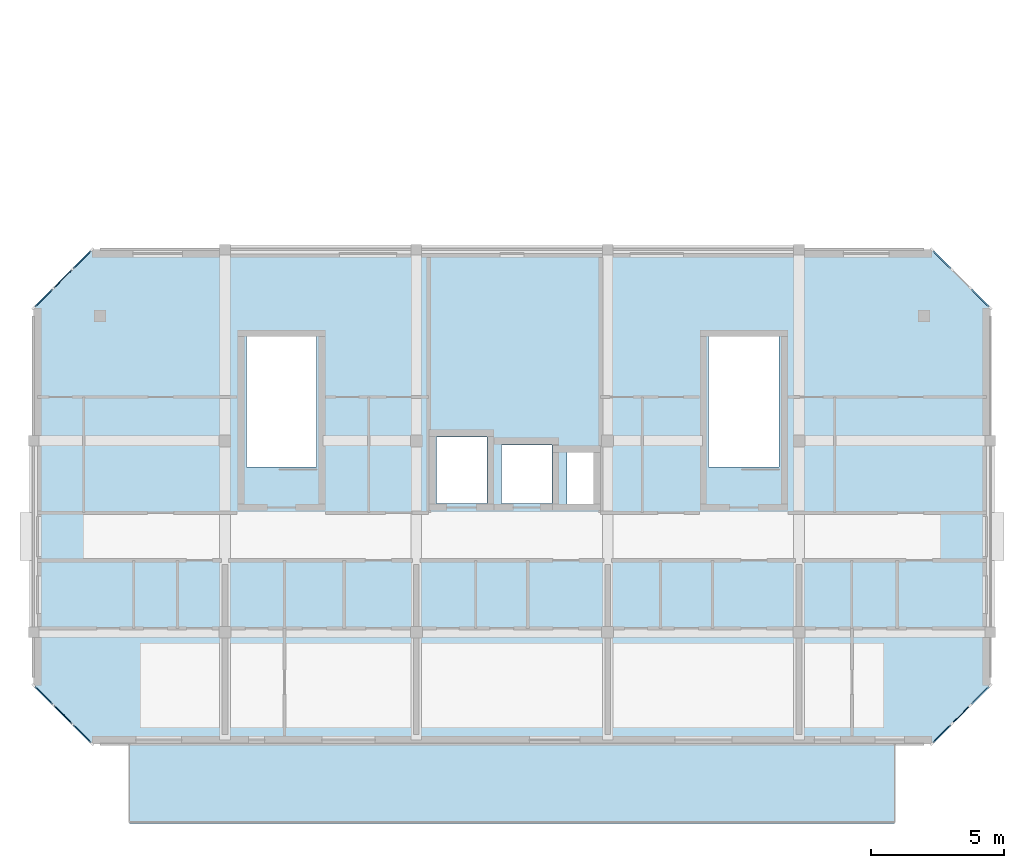
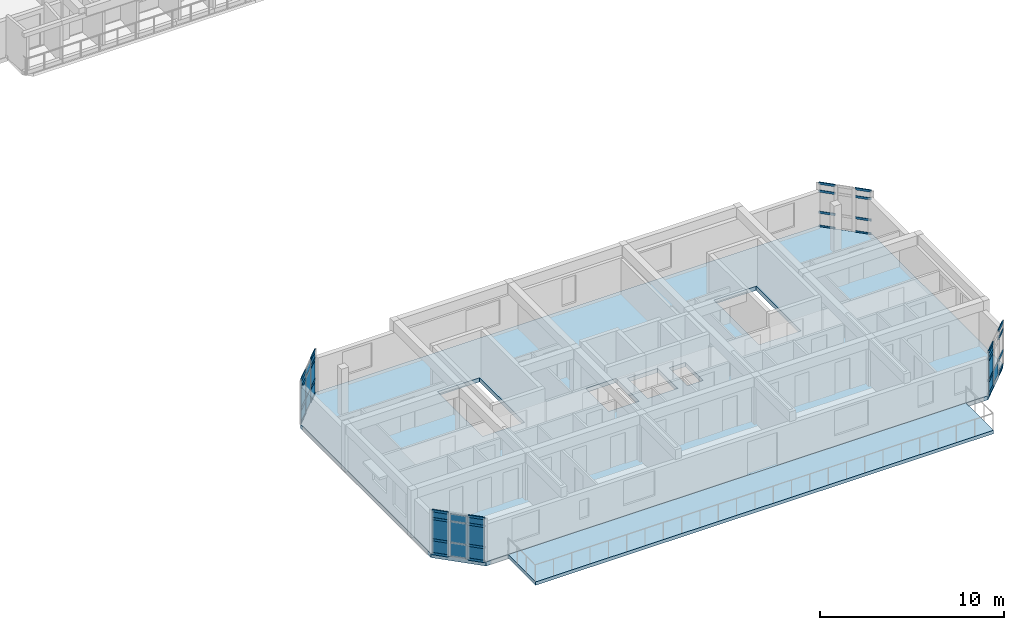
# One storey, part 5 of 19: 32 members, 22 plates, 2 slabs, 4 elements without a shape of their own.
"""IFC4 building model written with IfcOpenShell, lengths in metres."""

from ifc_helpers import new_model, si_unit, direction, frame, origin, origin_2d, place, context, subcontext, project, spatial, polyline, rectangle, outline, extrude, material, layer, layer_set, material_profile, profile_set, type_object, element, aggregate, save


model = new_model("IFC4")

# Units and contexts
model_context = context("Model", 3, precision=1e-05, world=origin(), true_north=direction((0.0, 1.0)))
body_context = subcontext(model_context, "Body", "Model", "MODEL_VIEW")
ifc_project = project(units=[si_unit("LENGTHUNIT", "METRE"), si_unit("AREAUNIT", "SQUARE_METRE"), si_unit("VOLUMEUNIT", "CUBIC_METRE"), si_unit("PLANEANGLEUNIT", "RADIAN"), si_unit("MASSUNIT", "GRAM", prefix="KILO")], contexts=[model_context])

# Site, building, storey
site_placement = place(None, origin())
site = spatial("IfcSite", under=ifc_project, at=site_placement, CompositionType="ELEMENT")
building_placement = place(site_placement, origin())
building = spatial("IfcBuilding", under=site, at=building_placement, Name="Ochrevale Crest", CompositionType="ELEMENT")
storey_placement = place(building_placement, frame((0.0, 0.0, 43.35009765625)))
storey = spatial("IfcBuildingStorey", under=building, at=storey_placement, Name="L13", CompositionType="ELEMENT", Elevation=43.35009765625)

# Curtain wall, members
ifc_material_1 = material(Name="Anodised aluminium 6063-T5", Category="aluminium")
ifc_layer_1 = layer(ifc_material_1, 0.14990234375)
ifc_layer_set_1 = layer_set([ifc_layer_1], Name="Anodised aluminium 6063-T5")
curtain_wall_type_1 = type_object("IfcCurtainWallType", Name="CW-WG-240x285", PredefinedType="NOTDEFINED", material=ifc_layer_set_1)
curtain_wall_1_placement = place(storey_placement, origin())
curtain_wall_1 = element("IfcCurtainWall", 1, at=curtain_wall_1_placement, inside=storey, type_object=curtain_wall_type_1, Name="Block C L13 chamfered corner wintergarden curtain wall 2", PredefinedType="NOTDEFINED")
ifc_material_profile = material_profile(ifc_material_1, rectangle(XDim=0.06005859375, YDim=0.14990234375, at=origin_2d()), Name="ALU 60x150")
ifc_profile_set = profile_set([ifc_material_profile], Name="Anodised aluminium 6063-T5")
member_type = type_object("IfcMemberType", Name="CW-TRN-60x150", PredefinedType="USERDEFINED", material=ifc_profile_set)
member_1_placement = place(storey_placement, frame((163.453125, 17.453125, 0.02978515625), z_axis=(0.707106781187, 0.707106781187, 0.0), x_axis=(-0.707106781187, 0.707106781187, 0.0)))
member_1 = element("IfcMember", 2, at=member_1_placement, type_object=member_type, Name="CW15 transom 1.1", ObjectType="TRANSOM", PredefinedType="USERDEFINED", context=body_context, shape_type="SweptSolid", body=[
    extrude(rectangle(XDim=0.06005859375, YDim=0.14990234375, at=origin_2d()), origin(), (0.0, 0.0, 1.0), 0.924560546875),
])
member_2_placement = place(storey_placement, frame((163.453125, 17.453125, 0.949951171875), z_axis=(0.707106781187, 0.707106781187, 0.0), x_axis=(-0.707106781187, 0.707106781187, 0.0)))
member_2 = element("IfcMember", 3, at=member_2_placement, type_object=member_type, Name="CW15 transom 1.2", ObjectType="TRANSOM", PredefinedType="USERDEFINED", context=body_context, shape_type="SweptSolid", body=[
    extrude(rectangle(XDim=0.06005859375, YDim=0.14990234375, at=origin_2d()), origin(), (0.0, 0.0, 1.0), 0.924560546875),
])
member_3_placement = place(storey_placement, frame((163.453125, 17.453125, 2.35986328125), z_axis=(0.707106781187, 0.707106781187, 0.0), x_axis=(-0.707106781187, 0.707106781187, 0.0)))
member_3 = element("IfcMember", 4, at=member_3_placement, type_object=member_type, Name="CW15 transom 1.3", ObjectType="TRANSOM", PredefinedType="USERDEFINED", context=body_context, shape_type="SweptSolid", body=[
    extrude(rectangle(XDim=0.06005859375, YDim=0.14990234375, at=origin_2d()), origin(), (0.0, 0.0, 1.0), 0.924560546875),
])
member_4_placement = place(storey_placement, frame((163.453125, 17.453125, 2.8798828125), z_axis=(0.707106781187, 0.707106781187, 0.0), x_axis=(-0.707106781187, 0.707106781187, 0.0)))
member_4 = element("IfcMember", 5, at=member_4_placement, type_object=member_type, Name="CW15 transom 1.4", ObjectType="TRANSOM", PredefinedType="USERDEFINED", context=body_context, shape_type="SweptSolid", body=[
    extrude(rectangle(XDim=0.06005859375, YDim=0.14990234375, at=origin_2d()), origin(), (0.0, 0.0, 1.0), 0.924560546875),
])
member_5_placement = place(storey_placement, frame((164.89306640625, 18.89306640625, 0.02978515625), z_axis=(0.707106781187, 0.707106781187, 0.0), x_axis=(-0.707106781187, 0.707106781187, 0.0)))
member_5 = element("IfcMember", 6, at=member_5_placement, type_object=member_type, Name="CW15 transom 3.1", ObjectType="TRANSOM", PredefinedType="USERDEFINED", context=body_context, shape_type="SweptSolid", body=[
    extrude(rectangle(XDim=0.06005859375, YDim=0.14990234375, at=origin_2d()), origin(), (0.0, 0.0, 1.0), 0.924560546875),
])
member_6_placement = place(storey_placement, frame((164.89306640625, 18.89306640625, 0.949951171875), z_axis=(0.707106781187, 0.707106781187, 0.0), x_axis=(-0.707106781187, 0.707106781187, 0.0)))
member_6 = element("IfcMember", 7, at=member_6_placement, type_object=member_type, Name="CW15 transom 3.2", ObjectType="TRANSOM", PredefinedType="USERDEFINED", context=body_context, shape_type="SweptSolid", body=[
    extrude(rectangle(XDim=0.06005859375, YDim=0.14990234375, at=origin_2d()), origin(), (0.0, 0.0, 1.0), 0.924560546875),
])
member_7_placement = place(storey_placement, frame((164.89306640625, 18.89306640625, 2.35986328125), z_axis=(0.707106781187, 0.707106781187, 0.0), x_axis=(-0.707106781187, 0.707106781187, 0.0)))
member_7 = element("IfcMember", 8, at=member_7_placement, type_object=member_type, Name="CW15 transom 3.3", ObjectType="TRANSOM", PredefinedType="USERDEFINED", context=body_context, shape_type="SweptSolid", body=[
    extrude(rectangle(XDim=0.06005859375, YDim=0.14990234375, at=origin_2d()), origin(), (0.0, 0.0, 1.0), 0.924560546875),
])
member_8_placement = place(storey_placement, frame((164.89306640625, 18.89306640625, 2.8798828125), z_axis=(0.707106781187, 0.707106781187, 0.0), x_axis=(-0.707106781187, 0.707106781187, 0.0)))
member_8 = element("IfcMember", 9, at=member_8_placement, type_object=member_type, Name="CW15 transom 3.4", ObjectType="TRANSOM", PredefinedType="USERDEFINED", context=body_context, shape_type="SweptSolid", body=[
    extrude(rectangle(XDim=0.06005859375, YDim=0.14990234375, at=origin_2d()), origin(), (0.0, 0.0, 1.0), 0.924560546875),
])

ifc_layer_2 = layer(ifc_material_1, 0.14990234375)
ifc_layer_set_2 = layer_set([ifc_layer_2], Name="Anodised aluminium 6063-T5")
curtain_wall_type_2 = type_object("IfcCurtainWallType", Name="CW-WG-320x285", PredefinedType="NOTDEFINED", material=ifc_layer_set_2)
curtain_wall_2_placement = place(storey_placement, origin())
curtain_wall_2 = element("IfcCurtainWall", 10, at=curtain_wall_2_placement, inside=storey, type_object=curtain_wall_type_2, Name="Block C L13 chamfered corner wintergarden curtain wall 4", PredefinedType="NOTDEFINED")
member_9_placement = place(storey_placement, frame((165.546875, 33.85302734375, 0.02978515625), z_axis=(-0.707106781187, 0.707106781187, 0.0), x_axis=(-0.707106781187, -0.707106781187, 0.0)))
member_9 = element("IfcMember", 11, at=member_9_placement, type_object=member_type, Name="CW17 transom 1.1", ObjectType="TRANSOM", PredefinedType="USERDEFINED", context=body_context, shape_type="SweptSolid", body=[
    extrude(rectangle(XDim=0.06005859375, YDim=0.14990234375, at=origin_2d()), origin(), (0.0, 0.0, 1.0), 0.924560546875),
])
member_10_placement = place(storey_placement, frame((165.546875, 33.85302734375, 0.949951171875), z_axis=(-0.707106781187, 0.707106781187, 0.0), x_axis=(-0.707106781187, -0.707106781187, 0.0)))
member_10 = element("IfcMember", 12, at=member_10_placement, type_object=member_type, Name="CW17 transom 1.2", ObjectType="TRANSOM", PredefinedType="USERDEFINED", context=body_context, shape_type="SweptSolid", body=[
    extrude(rectangle(XDim=0.06005859375, YDim=0.14990234375, at=origin_2d()), origin(), (0.0, 0.0, 1.0), 0.924560546875),
])
member_11_placement = place(storey_placement, frame((165.546875, 33.85302734375, 2.35986328125), z_axis=(-0.707106781187, 0.707106781187, 0.0), x_axis=(-0.707106781187, -0.707106781187, 0.0)))
member_11 = element("IfcMember", 13, at=member_11_placement, type_object=member_type, Name="CW17 transom 1.3", ObjectType="TRANSOM", PredefinedType="USERDEFINED", context=body_context, shape_type="SweptSolid", body=[
    extrude(rectangle(XDim=0.06005859375, YDim=0.14990234375, at=origin_2d()), origin(), (0.0, 0.0, 1.0), 0.924560546875),
])
member_12_placement = place(storey_placement, frame((165.546875, 33.85302734375, 2.8798828125), z_axis=(-0.707106781187, 0.707106781187, 0.0), x_axis=(-0.707106781187, -0.707106781187, 0.0)))
member_12 = element("IfcMember", 14, at=member_12_placement, type_object=member_type, Name="CW17 transom 1.4", ObjectType="TRANSOM", PredefinedType="USERDEFINED", context=body_context, shape_type="SweptSolid", body=[
    extrude(rectangle(XDim=0.06005859375, YDim=0.14990234375, at=origin_2d()), origin(), (0.0, 0.0, 1.0), 0.924560546875),
])
member_13_placement = place(storey_placement, frame((164.10693359375, 35.293212890625, 0.02978515625), z_axis=(-0.707106781187, 0.707106781187, 0.0), x_axis=(-0.707106781187, -0.707106781187, 0.0)))
member_13 = element("IfcMember", 15, at=member_13_placement, type_object=member_type, Name="CW17 transom 3.1", ObjectType="TRANSOM", PredefinedType="USERDEFINED", context=body_context, shape_type="SweptSolid", body=[
    extrude(rectangle(XDim=0.06005859375, YDim=0.14990234375, at=origin_2d()), origin(), (0.0, 0.0, 1.0), 0.924560546875),
])
member_14_placement = place(storey_placement, frame((164.10693359375, 35.293212890625, 0.949951171875), z_axis=(-0.707106781187, 0.707106781187, 0.0), x_axis=(-0.707106781187, -0.707106781187, 0.0)))
member_14 = element("IfcMember", 16, at=member_14_placement, type_object=member_type, Name="CW17 transom 3.2", ObjectType="TRANSOM", PredefinedType="USERDEFINED", context=body_context, shape_type="SweptSolid", body=[
    extrude(rectangle(XDim=0.06005859375, YDim=0.14990234375, at=origin_2d()), origin(), (0.0, 0.0, 1.0), 0.924560546875),
])
member_15_placement = place(storey_placement, frame((164.10693359375, 35.293212890625, 2.35986328125), z_axis=(-0.707106781187, 0.707106781187, 0.0), x_axis=(-0.707106781187, -0.707106781187, 0.0)))
member_15 = element("IfcMember", 17, at=member_15_placement, type_object=member_type, Name="CW17 transom 3.3", ObjectType="TRANSOM", PredefinedType="USERDEFINED", context=body_context, shape_type="SweptSolid", body=[
    extrude(rectangle(XDim=0.06005859375, YDim=0.14990234375, at=origin_2d()), origin(), (0.0, 0.0, 1.0), 0.924560546875),
])
member_16_placement = place(storey_placement, frame((164.10693359375, 35.293212890625, 2.8798828125), z_axis=(-0.707106781187, 0.707106781187, 0.0), x_axis=(-0.707106781187, -0.707106781187, 0.0)))
member_16 = element("IfcMember", 18, at=member_16_placement, type_object=member_type, Name="CW17 transom 3.4", ObjectType="TRANSOM", PredefinedType="USERDEFINED", context=body_context, shape_type="SweptSolid", body=[
    extrude(rectangle(XDim=0.06005859375, YDim=0.14990234375, at=origin_2d()), origin(), (0.0, 0.0, 1.0), 0.924560546875),
])
aggregate(curtain_wall_2, [member_9, member_10, member_11, member_12, member_13, member_14, member_15, member_16])

ifc_layer_3 = layer(ifc_material_1, 0.14990234375)
ifc_layer_set_3 = layer_set([ifc_layer_3], Name="Anodised aluminium 6063-T5")
curtain_wall_type_3 = type_object("IfcCurtainWallType", Name="CW-WG-420x285", PredefinedType="NOTDEFINED", material=ifc_layer_set_3)
curtain_wall_3_placement = place(storey_placement, origin())
curtain_wall_3 = element("IfcCurtainWall", 19, at=curtain_wall_3_placement, inside=storey, type_object=curtain_wall_type_3, Name="Block C L13 chamfered corner wintergarden curtain wall 6", PredefinedType="NOTDEFINED")
member_17_placement = place(storey_placement, frame((131.7470703125, 35.947021484375, 0.02978515625), z_axis=(-0.707106781187, -0.707106781187, 0.0), x_axis=(0.707106781187, -0.707106781187, 0.0)))
member_17 = element("IfcMember", 20, at=member_17_placement, type_object=member_type, Name="CW22 transom 1.1", ObjectType="TRANSOM", PredefinedType="USERDEFINED", context=body_context, shape_type="SweptSolid", body=[
    extrude(rectangle(XDim=0.06005859375, YDim=0.14990234375, at=origin_2d()), origin(), (0.0, 0.0, 1.0), 0.924560546875),
])
member_18_placement = place(storey_placement, frame((131.7470703125, 35.947021484375, 0.949951171875), z_axis=(-0.707106781187, -0.707106781187, 0.0), x_axis=(0.707106781187, -0.707106781187, 0.0)))
member_18 = element("IfcMember", 21, at=member_18_placement, type_object=member_type, Name="CW22 transom 1.2", ObjectType="TRANSOM", PredefinedType="USERDEFINED", context=body_context, shape_type="SweptSolid", body=[
    extrude(rectangle(XDim=0.06005859375, YDim=0.14990234375, at=origin_2d()), origin(), (0.0, 0.0, 1.0), 0.924560546875),
])
member_19_placement = place(storey_placement, frame((131.7470703125, 35.947021484375, 2.35986328125), z_axis=(-0.707106781187, -0.707106781187, 0.0), x_axis=(0.707106781187, -0.707106781187, 0.0)))
member_19 = element("IfcMember", 22, at=member_19_placement, type_object=member_type, Name="CW22 transom 1.3", ObjectType="TRANSOM", PredefinedType="USERDEFINED", context=body_context, shape_type="SweptSolid", body=[
    extrude(rectangle(XDim=0.06005859375, YDim=0.14990234375, at=origin_2d()), origin(), (0.0, 0.0, 1.0), 0.924560546875),
])
member_20_placement = place(storey_placement, frame((131.7470703125, 35.947021484375, 2.8798828125), z_axis=(-0.707106781187, -0.707106781187, 0.0), x_axis=(0.707106781187, -0.707106781187, 0.0)))
member_20 = element("IfcMember", 23, at=member_20_placement, type_object=member_type, Name="CW22 transom 1.4", ObjectType="TRANSOM", PredefinedType="USERDEFINED", context=body_context, shape_type="SweptSolid", body=[
    extrude(rectangle(XDim=0.06005859375, YDim=0.14990234375, at=origin_2d()), origin(), (0.0, 0.0, 1.0), 0.924560546875),
])
member_21_placement = place(storey_placement, frame((130.306884765625, 34.5068359375, 0.02978515625), z_axis=(-0.707106781187, -0.707106781187, 0.0), x_axis=(0.707106781187, -0.707106781187, 0.0)))
member_21 = element("IfcMember", 24, at=member_21_placement, type_object=member_type, Name="CW22 transom 3.1", ObjectType="TRANSOM", PredefinedType="USERDEFINED", context=body_context, shape_type="SweptSolid", body=[
    extrude(rectangle(XDim=0.06005859375, YDim=0.14990234375, at=origin_2d()), origin(), (0.0, 0.0, 1.0), 0.924560546875),
])
member_22_placement = place(storey_placement, frame((130.306884765625, 34.5068359375, 0.949951171875), z_axis=(-0.707106781187, -0.707106781187, 0.0), x_axis=(0.707106781187, -0.707106781187, 0.0)))
member_22 = element("IfcMember", 25, at=member_22_placement, type_object=member_type, Name="CW22 transom 3.2", ObjectType="TRANSOM", PredefinedType="USERDEFINED", context=body_context, shape_type="SweptSolid", body=[
    extrude(rectangle(XDim=0.06005859375, YDim=0.14990234375, at=origin_2d()), origin(), (0.0, 0.0, 1.0), 0.924560546875),
])
member_23_placement = place(storey_placement, frame((130.306884765625, 34.5068359375, 2.35986328125), z_axis=(-0.707106781187, -0.707106781187, 0.0), x_axis=(0.707106781187, -0.707106781187, 0.0)))
member_23 = element("IfcMember", 26, at=member_23_placement, type_object=member_type, Name="CW22 transom 3.3", ObjectType="TRANSOM", PredefinedType="USERDEFINED", context=body_context, shape_type="SweptSolid", body=[
    extrude(rectangle(XDim=0.06005859375, YDim=0.14990234375, at=origin_2d()), origin(), (0.0, 0.0, 1.0), 0.924560546875),
])
member_24_placement = place(storey_placement, frame((130.306884765625, 34.5068359375, 2.8798828125), z_axis=(-0.707106781187, -0.707106781187, 0.0), x_axis=(0.707106781187, -0.707106781187, 0.0)))
member_24 = element("IfcMember", 27, at=member_24_placement, type_object=member_type, Name="CW22 transom 3.4", ObjectType="TRANSOM", PredefinedType="USERDEFINED", context=body_context, shape_type="SweptSolid", body=[
    extrude(rectangle(XDim=0.06005859375, YDim=0.14990234375, at=origin_2d()), origin(), (0.0, 0.0, 1.0), 0.924560546875),
])

ifc_layer_4 = layer(ifc_material_1, 0.14990234375)
ifc_layer_set_4 = layer_set([ifc_layer_4], Name="Anodised aluminium 6063-T5")
curtain_wall_type_4 = type_object("IfcCurtainWallType", Name="CW-WG-280x285", PredefinedType="NOTDEFINED", material=ifc_layer_set_4)
curtain_wall_4_placement = place(storey_placement, origin())
curtain_wall_4 = element("IfcCurtainWall", 28, at=curtain_wall_4_placement, inside=storey, type_object=curtain_wall_type_4, Name="Block C L13 chamfered corner wintergarden curtain wall 8", PredefinedType="NOTDEFINED")
member_25_placement = place(storey_placement, frame((129.653076171875, 19.546875, 0.02978515625), z_axis=(0.707106781187, -0.707106781187, 0.0), x_axis=(0.707106781187, 0.707106781187, 0.0)))
member_25 = element("IfcMember", 29, at=member_25_placement, type_object=member_type, Name="CW16 transom 1.1", ObjectType="TRANSOM", PredefinedType="USERDEFINED", context=body_context, shape_type="SweptSolid", body=[
    extrude(rectangle(XDim=0.06005859375, YDim=0.14990234375, at=origin_2d()), origin(), (0.0, 0.0, 1.0), 0.924560546875),
])
member_26_placement = place(storey_placement, frame((129.653076171875, 19.546875, 0.949951171875), z_axis=(0.707106781187, -0.707106781187, 0.0), x_axis=(0.707106781187, 0.707106781187, 0.0)))
member_26 = element("IfcMember", 30, at=member_26_placement, type_object=member_type, Name="CW16 transom 1.2", ObjectType="TRANSOM", PredefinedType="USERDEFINED", context=body_context, shape_type="SweptSolid", body=[
    extrude(rectangle(XDim=0.06005859375, YDim=0.14990234375, at=origin_2d()), origin(), (0.0, 0.0, 1.0), 0.924560546875),
])
member_27_placement = place(storey_placement, frame((129.653076171875, 19.546875, 2.35986328125), z_axis=(0.707106781187, -0.707106781187, 0.0), x_axis=(0.707106781187, 0.707106781187, 0.0)))
member_27 = element("IfcMember", 31, at=member_27_placement, type_object=member_type, Name="CW16 transom 1.3", ObjectType="TRANSOM", PredefinedType="USERDEFINED", context=body_context, shape_type="SweptSolid", body=[
    extrude(rectangle(XDim=0.06005859375, YDim=0.14990234375, at=origin_2d()), origin(), (0.0, 0.0, 1.0), 0.924560546875),
])
member_28_placement = place(storey_placement, frame((129.653076171875, 19.546875, 2.8798828125), z_axis=(0.707106781187, -0.707106781187, 0.0), x_axis=(0.707106781187, 0.707106781187, 0.0)))
member_28 = element("IfcMember", 32, at=member_28_placement, type_object=member_type, Name="CW16 transom 1.4", ObjectType="TRANSOM", PredefinedType="USERDEFINED", context=body_context, shape_type="SweptSolid", body=[
    extrude(rectangle(XDim=0.06005859375, YDim=0.14990234375, at=origin_2d()), origin(), (0.0, 0.0, 1.0), 0.924560546875),
])
member_29_placement = place(storey_placement, frame((131.09326171875, 18.10693359375, 0.02978515625), z_axis=(0.707106781187, -0.707106781187, 0.0), x_axis=(0.707106781187, 0.707106781187, 0.0)))
member_29 = element("IfcMember", 33, at=member_29_placement, type_object=member_type, Name="CW16 transom 3.1", ObjectType="TRANSOM", PredefinedType="USERDEFINED", context=body_context, shape_type="SweptSolid", body=[
    extrude(rectangle(XDim=0.06005859375, YDim=0.14990234375, at=origin_2d()), origin(), (0.0, 0.0, 1.0), 0.924560546875),
])
member_30_placement = place(storey_placement, frame((131.09326171875, 18.10693359375, 0.949951171875), z_axis=(0.707106781187, -0.707106781187, 0.0), x_axis=(0.707106781187, 0.707106781187, 0.0)))
member_30 = element("IfcMember", 34, at=member_30_placement, type_object=member_type, Name="CW16 transom 3.2", ObjectType="TRANSOM", PredefinedType="USERDEFINED", context=body_context, shape_type="SweptSolid", body=[
    extrude(rectangle(XDim=0.06005859375, YDim=0.14990234375, at=origin_2d()), origin(), (0.0, 0.0, 1.0), 0.924560546875),
])
member_31_placement = place(storey_placement, frame((131.09326171875, 18.10693359375, 2.35986328125), z_axis=(0.707106781187, -0.707106781187, 0.0), x_axis=(0.707106781187, 0.707106781187, 0.0)))
member_31 = element("IfcMember", 35, at=member_31_placement, type_object=member_type, Name="CW16 transom 3.3", ObjectType="TRANSOM", PredefinedType="USERDEFINED", context=body_context, shape_type="SweptSolid", body=[
    extrude(rectangle(XDim=0.06005859375, YDim=0.14990234375, at=origin_2d()), origin(), (0.0, 0.0, 1.0), 0.924560546875),
])
member_32_placement = place(storey_placement, frame((131.09326171875, 18.10693359375, 2.8798828125), z_axis=(0.707106781187, -0.707106781187, 0.0), x_axis=(0.707106781187, 0.707106781187, 0.0)))
member_32 = element("IfcMember", 36, at=member_32_placement, type_object=member_type, Name="CW16 transom 3.4", ObjectType="TRANSOM", PredefinedType="USERDEFINED", context=body_context, shape_type="SweptSolid", body=[
    extrude(rectangle(XDim=0.06005859375, YDim=0.14990234375, at=origin_2d()), origin(), (0.0, 0.0, 1.0), 0.924560546875),
])

# Plate
ifc_material_2 = material(Name="Double-glazed low-E insulated glass unit", Category="glass")
ifc_layer_5 = layer(ifc_material_2, 0.028076171875)
ifc_layer_set_5 = layer_set([ifc_layer_5], Name="Double-glazed low-E insulated glass unit")
plate_type_1 = type_object("IfcPlateType", Name="CW-PNL-IGU28", PredefinedType="CURTAIN_PANEL", material=ifc_layer_set_5)
plate_1_placement = place(storey_placement, frame((163.780029296875, 17.780029296875, 0.06005859375), z_axis=(0.0, 0.0, 1.0), x_axis=(0.707106781187, 0.707106781187, 0.0)))
plate_1 = element("IfcPlate", 37, at=plate_1_placement, type_object=plate_type_1, Name="CW15 panel 1.1", PredefinedType="CURTAIN_PANEL", context=body_context, shape_type="SweptSolid", body=[
    extrude(rectangle(XDim=0.924560546875, YDim=0.028076171875, at=origin_2d()), origin(), (0.0, 0.0, 1.0), 0.860107421875),
])

plate_2_placement = place(storey_placement, frame((163.780029296875, 17.780029296875, 0.979736328125), z_axis=(0.0, 0.0, 1.0), x_axis=(0.707106781187, 0.707106781187, 0.0)))
plate_2 = element("IfcPlate", 38, at=plate_2_placement, type_object=plate_type_1, Name="CW15 panel 1.2", PredefinedType="CURTAIN_PANEL", context=body_context, shape_type="SweptSolid", body=[
    extrude(rectangle(XDim=0.924560546875, YDim=0.028076171875, at=origin_2d()), origin(), (0.0, 0.0, 1.0), 1.35009765625),
])

plate_3_placement = place(storey_placement, frame((163.780029296875, 17.780029296875, 2.389892578125), z_axis=(0.0, 0.0, 1.0), x_axis=(0.707106781187, 0.707106781187, 0.0)))
plate_3 = element("IfcPlate", 39, at=plate_3_placement, type_object=plate_type_1, Name="CW15 panel 1.3", PredefinedType="CURTAIN_PANEL", context=body_context, shape_type="SweptSolid", body=[
    extrude(rectangle(XDim=0.924560546875, YDim=0.028076171875, at=origin_2d()), origin(), (0.0, 0.0, 1.0), 0.4599609375),
])

plate_4_placement = place(storey_placement, frame((164.5, 18.5, 0.06005859375), z_axis=(0.0, 0.0, 1.0), x_axis=(0.707106781187, 0.707106781187, 0.0)))
plate_4 = element("IfcPlate", 40, at=plate_4_placement, type_object=plate_type_1, Name="CW15 panel 2.1", PredefinedType="CURTAIN_PANEL", context=body_context, shape_type="SweptSolid", body=[
    extrude(rectangle(XDim=0.962158203125, YDim=0.028076171875, at=origin_2d()), origin(), (0.0, 0.0, 1.0), 0.860107421875),
])

aggregate(curtain_wall_1, [member_1, member_2, member_3, member_4, plate_1, plate_2, plate_3, plate_4, member_5, member_6, member_7, member_8])

plate_5_placement = place(storey_placement, frame((131.420166015625, 35.6201171875, 0.06005859375), z_axis=(0.0, 0.0, 1.0), x_axis=(-0.707106781187, -0.707106781187, 0.0)))
plate_5 = element("IfcPlate", 41, at=plate_5_placement, type_object=plate_type_1, Name="CW22 panel 1.1", PredefinedType="CURTAIN_PANEL", context=body_context, shape_type="SweptSolid", body=[
    extrude(rectangle(XDim=0.924560546875, YDim=0.028076171875, at=origin_2d()), origin(), (0.0, 0.0, 1.0), 0.860107421875),
])

plate_6_placement = place(storey_placement, frame((131.420166015625, 35.6201171875, 0.979736328125), z_axis=(0.0, 0.0, 1.0), x_axis=(-0.707106781187, -0.707106781187, 0.0)))
plate_6 = element("IfcPlate", 42, at=plate_6_placement, type_object=plate_type_1, Name="CW22 panel 1.2", PredefinedType="CURTAIN_PANEL", context=body_context, shape_type="SweptSolid", body=[
    extrude(rectangle(XDim=0.924560546875, YDim=0.028076171875, at=origin_2d()), origin(), (0.0, 0.0, 1.0), 1.35009765625),
])

plate_7_placement = place(storey_placement, frame((131.420166015625, 35.6201171875, 2.389892578125), z_axis=(0.0, 0.0, 1.0), x_axis=(-0.707106781187, -0.707106781187, 0.0)))
plate_7 = element("IfcPlate", 43, at=plate_7_placement, type_object=plate_type_1, Name="CW22 panel 1.3", PredefinedType="CURTAIN_PANEL", context=body_context, shape_type="SweptSolid", body=[
    extrude(rectangle(XDim=0.924560546875, YDim=0.028076171875, at=origin_2d()), origin(), (0.0, 0.0, 1.0), 0.4599609375),
])

plate_8_placement = place(storey_placement, frame((130.699951171875, 34.89990234375, 0.06005859375), z_axis=(0.0, 0.0, 1.0), x_axis=(-0.707106781187, -0.707106781187, 0.0)))
plate_8 = element("IfcPlate", 44, at=plate_8_placement, type_object=plate_type_1, Name="CW22 panel 2.1", PredefinedType="CURTAIN_PANEL", context=body_context, shape_type="SweptSolid", body=[
    extrude(rectangle(XDim=0.962158203125, YDim=0.028076171875, at=origin_2d()), origin(), (0.0, 0.0, 1.0), 0.860107421875),
])

plate_9_placement = place(storey_placement, frame((130.699951171875, 34.89990234375, 0.979736328125), z_axis=(0.0, 0.0, 1.0), x_axis=(-0.707106781187, -0.707106781187, 0.0)))
plate_9 = element("IfcPlate", 45, at=plate_9_placement, type_object=plate_type_1, Name="CW22 panel 2.2", PredefinedType="CURTAIN_PANEL", context=body_context, shape_type="SweptSolid", body=[
    extrude(rectangle(XDim=0.962158203125, YDim=0.028076171875, at=origin_2d()), origin(), (0.0, 0.0, 1.0), 1.35009765625),
])

plate_10_placement = place(storey_placement, frame((130.699951171875, 34.89990234375, 2.389892578125), z_axis=(0.0, 0.0, 1.0), x_axis=(-0.707106781187, -0.707106781187, 0.0)))
plate_10 = element("IfcPlate", 46, at=plate_10_placement, type_object=plate_type_1, Name="CW22 panel 2.3", PredefinedType="CURTAIN_PANEL", context=body_context, shape_type="SweptSolid", body=[
    extrude(rectangle(XDim=0.962158203125, YDim=0.028076171875, at=origin_2d()), origin(), (0.0, 0.0, 1.0), 0.4599609375),
])

plate_11_placement = place(storey_placement, frame((129.97998046875, 34.179931640625, 0.06005859375), z_axis=(0.0, 0.0, 1.0), x_axis=(-0.707106781187, -0.707106781187, 0.0)))
plate_11 = element("IfcPlate", 47, at=plate_11_placement, type_object=plate_type_1, Name="CW22 panel 3.1", PredefinedType="CURTAIN_PANEL", context=body_context, shape_type="SweptSolid", body=[
    extrude(rectangle(XDim=0.924560546875, YDim=0.028076171875, at=origin_2d()), origin(), (0.0, 0.0, 1.0), 0.860107421875),
])

plate_12_placement = place(storey_placement, frame((129.97998046875, 34.179931640625, 0.979736328125), z_axis=(0.0, 0.0, 1.0), x_axis=(-0.707106781187, -0.707106781187, 0.0)))
plate_12 = element("IfcPlate", 48, at=plate_12_placement, type_object=plate_type_1, Name="CW22 panel 3.2", PredefinedType="CURTAIN_PANEL", context=body_context, shape_type="SweptSolid", body=[
    extrude(rectangle(XDim=0.924560546875, YDim=0.028076171875, at=origin_2d()), origin(), (0.0, 0.0, 1.0), 1.35009765625),
])

plate_13_placement = place(storey_placement, frame((129.97998046875, 34.179931640625, 2.389892578125), z_axis=(0.0, 0.0, 1.0), x_axis=(-0.707106781187, -0.707106781187, 0.0)))
plate_13 = element("IfcPlate", 49, at=plate_13_placement, type_object=plate_type_1, Name="CW22 panel 3.3", PredefinedType="CURTAIN_PANEL", context=body_context, shape_type="SweptSolid", body=[
    extrude(rectangle(XDim=0.924560546875, YDim=0.028076171875, at=origin_2d()), origin(), (0.0, 0.0, 1.0), 0.4599609375),
])

aggregate(curtain_wall_3, [member_17, member_18, member_19, member_20, plate_5, plate_6, plate_7, plate_8, plate_9, plate_10, member_21, member_22, member_23, member_24, plate_11, plate_12, plate_13])

ifc_material_3 = material(Name="Acoustic laminated low-E insulated glass unit", Category="glass")
ifc_layer_6 = layer(ifc_material_3, 0.0380859375)
ifc_layer_set_6 = layer_set([ifc_layer_6], Name="Acoustic laminated low-E insulated glass unit")
plate_type_2 = type_object("IfcPlateType", Name="CW-PNL-IGU38", PredefinedType="CURTAIN_PANEL", material=ifc_layer_set_6)
plate_14_placement = place(storey_placement, frame((129.97998046875, 19.219970703125, 0.06005859375), z_axis=(0.0, 0.0, 1.0), x_axis=(0.707106781187, -0.707106781187, 0.0)))
plate_14 = element("IfcPlate", 50, at=plate_14_placement, type_object=plate_type_2, Name="CW16 panel 1.1", PredefinedType="CURTAIN_PANEL", context=body_context, shape_type="SweptSolid", body=[
    extrude(rectangle(XDim=0.924560546875, YDim=0.0380859375, at=origin_2d()), origin(), (0.0, 0.0, 1.0), 0.860107421875),
])

plate_15_placement = place(storey_placement, frame((129.97998046875, 19.219970703125, 0.979736328125), z_axis=(0.0, 0.0, 1.0), x_axis=(0.707106781187, -0.707106781187, 0.0)))
plate_15 = element("IfcPlate", 51, at=plate_15_placement, type_object=plate_type_2, Name="CW16 panel 1.2", PredefinedType="CURTAIN_PANEL", context=body_context, shape_type="SweptSolid", body=[
    extrude(rectangle(XDim=0.924560546875, YDim=0.0380859375, at=origin_2d()), origin(), (0.0, 0.0, 1.0), 1.35009765625),
])

plate_16_placement = place(storey_placement, frame((129.97998046875, 19.219970703125, 2.389892578125), z_axis=(0.0, 0.0, 1.0), x_axis=(0.707106781187, -0.707106781187, 0.0)))
plate_16 = element("IfcPlate", 52, at=plate_16_placement, type_object=plate_type_2, Name="CW16 panel 1.3", PredefinedType="CURTAIN_PANEL", context=body_context, shape_type="SweptSolid", body=[
    extrude(rectangle(XDim=0.924560546875, YDim=0.0380859375, at=origin_2d()), origin(), (0.0, 0.0, 1.0), 0.4599609375),
])

plate_17_placement = place(storey_placement, frame((130.699951171875, 18.5, 0.06005859375), z_axis=(0.0, 0.0, 1.0), x_axis=(0.707106781187, -0.707106781187, 0.0)))
plate_17 = element("IfcPlate", 53, at=plate_17_placement, type_object=plate_type_2, Name="CW16 panel 2.1", PredefinedType="CURTAIN_PANEL", context=body_context, shape_type="SweptSolid", body=[
    extrude(rectangle(XDim=0.962158203125, YDim=0.0380859375, at=origin_2d()), origin(), (0.0, 0.0, 1.0), 0.860107421875),
])

plate_18_placement = place(storey_placement, frame((130.699951171875, 18.5, 0.979736328125), z_axis=(0.0, 0.0, 1.0), x_axis=(0.707106781187, -0.707106781187, 0.0)))
plate_18 = element("IfcPlate", 54, at=plate_18_placement, type_object=plate_type_2, Name="CW16 panel 2.2", PredefinedType="CURTAIN_PANEL", context=body_context, shape_type="SweptSolid", body=[
    extrude(rectangle(XDim=0.962158203125, YDim=0.0380859375, at=origin_2d()), origin(), (0.0, 0.0, 1.0), 1.35009765625),
])

plate_19_placement = place(storey_placement, frame((130.699951171875, 18.5, 2.389892578125), z_axis=(0.0, 0.0, 1.0), x_axis=(0.707106781187, -0.707106781187, 0.0)))
plate_19 = element("IfcPlate", 55, at=plate_19_placement, type_object=plate_type_2, Name="CW16 panel 2.3", PredefinedType="CURTAIN_PANEL", context=body_context, shape_type="SweptSolid", body=[
    extrude(rectangle(XDim=0.962158203125, YDim=0.0380859375, at=origin_2d()), origin(), (0.0, 0.0, 1.0), 0.4599609375),
])

plate_20_placement = place(storey_placement, frame((131.420166015625, 17.780029296875, 0.06005859375), z_axis=(0.0, 0.0, 1.0), x_axis=(0.707106781187, -0.707106781187, 0.0)))
plate_20 = element("IfcPlate", 56, at=plate_20_placement, type_object=plate_type_2, Name="CW16 panel 3.1", PredefinedType="CURTAIN_PANEL", context=body_context, shape_type="SweptSolid", body=[
    extrude(rectangle(XDim=0.924560546875, YDim=0.0380859375, at=origin_2d()), origin(), (0.0, 0.0, 1.0), 0.860107421875),
])

plate_21_placement = place(storey_placement, frame((131.420166015625, 17.780029296875, 0.979736328125), z_axis=(0.0, 0.0, 1.0), x_axis=(0.707106781187, -0.707106781187, 0.0)))
plate_21 = element("IfcPlate", 57, at=plate_21_placement, type_object=plate_type_2, Name="CW16 panel 3.2", PredefinedType="CURTAIN_PANEL", context=body_context, shape_type="SweptSolid", body=[
    extrude(rectangle(XDim=0.924560546875, YDim=0.0380859375, at=origin_2d()), origin(), (0.0, 0.0, 1.0), 1.35009765625),
])

plate_22_placement = place(storey_placement, frame((131.420166015625, 17.780029296875, 2.389892578125), z_axis=(0.0, 0.0, 1.0), x_axis=(0.707106781187, -0.707106781187, 0.0)))
plate_22 = element("IfcPlate", 58, at=plate_22_placement, type_object=plate_type_2, Name="CW16 panel 3.3", PredefinedType="CURTAIN_PANEL", context=body_context, shape_type="SweptSolid", body=[
    extrude(rectangle(XDim=0.924560546875, YDim=0.0380859375, at=origin_2d()), origin(), (0.0, 0.0, 1.0), 0.4599609375),
])

aggregate(curtain_wall_4, [member_25, member_26, member_27, member_28, plate_14, plate_15, plate_16, plate_17, plate_18, plate_19, member_29, member_30, member_31, member_32, plate_20, plate_21, plate_22])

# Slabs
ifc_material_4 = material(Name="Precast concrete C40/50", Category="concrete")
ifc_layer_7 = layer(ifc_material_4, 0.27490234375)
ifc_layer_set_7 = layer_set([ifc_layer_7], Name="Precast concrete C40/50")
slab_type_1 = type_object("IfcSlabType", Name="SLB-RES-275", PredefinedType="FLOOR", material=ifc_layer_set_7)
slab_1_placement = place(storey_placement, frame((0.0, 0.0, -0.275146484375)))
element("IfcSlab", 59, at=slab_1_placement, inside=storey, type_object=slab_type_1, Name="Block C L13 composite hollowcore floor slab", PredefinedType="FLOOR", context=body_context, shape_type="SweptSolid", body=[
    extrude(outline(polyline([(131.800048828125, 17.39990234375), (163.39990234375, 17.39990234375), (165.60009765625, 19.60009765625), (165.60009765625, 33.800048828125), (163.39990234375, 36.0), (131.800048828125, 36.0), (129.60009765625, 33.800048828125), (129.60009765625, 19.60009765625), (131.800048828125, 17.39990234375)]), holes=[polyline([(140.25, 27.824951171875), (140.25, 32.72509765625), (137.60009765625, 32.72509765625), (137.60009765625, 27.824951171875), (140.25, 27.824951171875)]), polyline([(157.64990234375, 27.824951171875), (157.64990234375, 32.72509765625), (155.0, 32.72509765625), (155.0, 27.824951171875), (157.64990234375, 27.824951171875)]), polyline([(144.75, 26.449951171875), (146.64990234375, 26.449951171875), (146.64990234375, 28.949951171875), (144.75, 28.949951171875), (144.75, 26.449951171875)]), polyline([(147.199951171875, 26.449951171875), (149.10009765625, 26.449951171875), (149.10009765625, 28.64990234375), (147.199951171875, 28.64990234375), (147.199951171875, 26.449951171875)]), polyline([(149.669921875, 26.419921875), (150.679931640625, 26.419921875), (150.679931640625, 28.3798828125), (149.669921875, 28.3798828125), (149.669921875, 26.419921875)])]), origin(), (0.0, 0.0, 1.0), 0.275146484375),
])
ifc_material_5 = material(Name="Concrete C40/50", Category="concrete")
ifc_layer_8 = layer(ifc_material_5, 0.22509765625)
ifc_layer_set_8 = layer_set([ifc_layer_8], Name="Concrete C40/50")
slab_type_2 = type_object("IfcSlabType", Name="SLB-TER-225", PredefinedType="FLOOR", material=ifc_layer_set_8)
slab_2_placement = place(storey_placement, frame((0.0, 0.0, -0.22509765625)))
element("IfcSlab", 60, at=slab_2_placement, inside=storey, type_object=slab_type_2, Name="Block C L13 stepped-back roof terrace slab", PredefinedType="FLOOR", context=body_context, shape_type="SweptSolid", body=[
    extrude(outline(polyline([(133.199951171875, 14.39990234375), (162.0, 14.39990234375), (162.0, 17.39990234375), (133.199951171875, 17.39990234375), (133.199951171875, 14.39990234375)])), origin(), (0.0, 0.0, 1.0), 0.22509765625),
])

save(model, "model.ifc")
